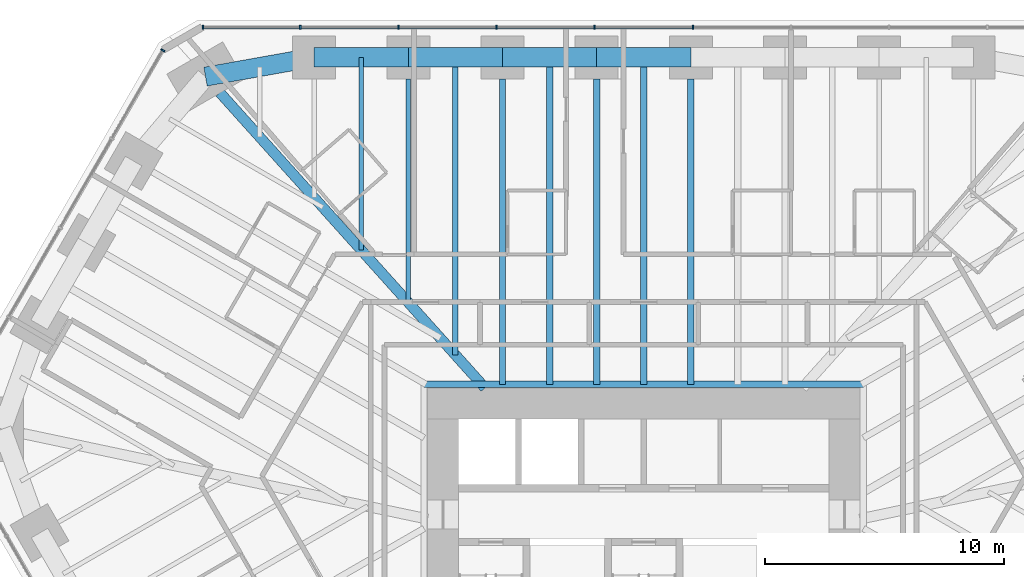
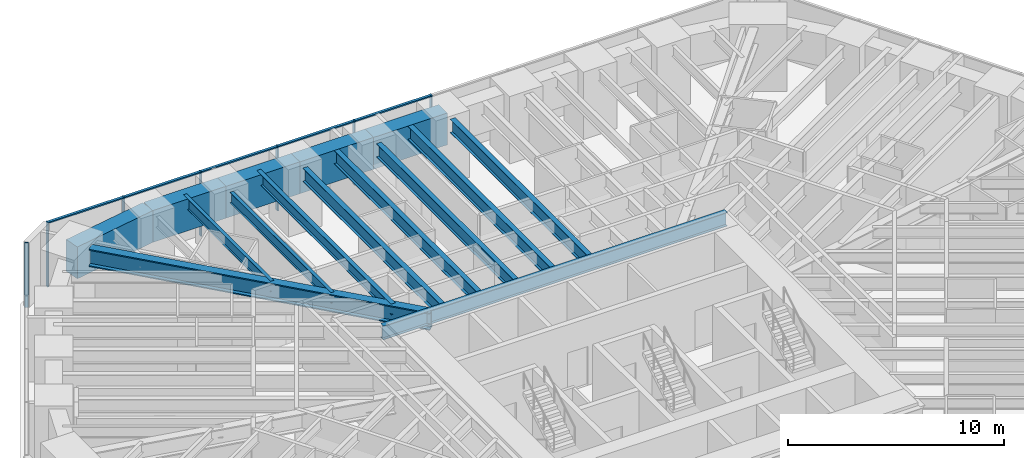
# One storey, part 8 of 17: 15 beams, 12 members, 2 elements without a shape of their own.
"""IFC4 building model written with IfcOpenShell, lengths in metres."""

from ifc_helpers import new_model, si_unit, direction, frame, origin, origin_2d, place, context, subcontext, project, spatial, rectangle, i_section, extrude, material, material_profile, profile_set, type_object, element, aggregate, save


model = new_model("IFC4")

# Units and contexts
model_context = context("Model", 3, precision=1e-05, world=origin(), true_north=direction((0.0, 1.0)))
body_context = subcontext(model_context, "Body", "Model", "MODEL_VIEW")
ifc_project = project(units=[si_unit("LENGTHUNIT", "METRE"), si_unit("AREAUNIT", "SQUARE_METRE"), si_unit("VOLUMEUNIT", "CUBIC_METRE"), si_unit("PLANEANGLEUNIT", "RADIAN"), si_unit("MASSUNIT", "GRAM", prefix="KILO")], contexts=[model_context])

# Site, building, storey
site_placement = place(None, origin())
site = spatial("IfcSite", under=ifc_project, at=site_placement, CompositionType="ELEMENT")
building_placement = place(site_placement, origin())
building = spatial("IfcBuilding", under=site, at=building_placement, Name="Sandreach Pilgrim Tower", CompositionType="ELEMENT")
storey_placement = place(building_placement, frame((0.0, 0.0, 127.199951171875)))
storey = spatial("IfcBuildingStorey", under=building, at=storey_placement, Name="L31", CompositionType="ELEMENT", Elevation=127.199951171875)

# Curtain wall, members
ifc_material_1 = material(Name="Aluminium framed curtain wall", Category="aluminium")
curtain_wall_type = type_object("IfcCurtainWallType", Name="Hotel tower curtain wall", PredefinedType="NOTDEFINED", material=ifc_material_1)
curtain_wall_1_placement = place(storey_placement, origin())
curtain_wall_1 = element("IfcCurtainWall", 1, at=curtain_wall_1_placement, inside=storey, type_object=curtain_wall_type, Name="CW-2 L31 N", PredefinedType="NOTDEFINED")
ifc_material_2 = material(Name="Aluminium extrusion", Category="aluminium")
ifc_material_profile_1 = material_profile(ifc_material_2, rectangle(XDim=0.06494140625, YDim=0.179931640625, at=origin_2d()), Name="CW-2M 65X180")
ifc_profile_set_1 = profile_set([ifc_material_profile_1], Name="Aluminium extrusion")
member_type_1 = type_object("IfcMemberType", Name="CW-2 mullion", PredefinedType="MULLION", material=ifc_profile_set_1)
member_1_placement = place(storey_placement, frame((-18.448974609375, 22.493896484375, 0.0), z_axis=(0.0, 0.0, 1.0), x_axis=(1.0, 0.0, 0.0)))
member_1 = element("IfcMember", 2, at=member_1_placement, type_object=member_type_1, Name="CW-2 mullion 1", PredefinedType="MULLION", context=body_context, shape_type="SweptSolid", body=[
    extrude(rectangle(XDim=0.06494140625, YDim=0.179931640625, at=origin_2d()), origin(), (0.0, 0.0, 1.0), 3.64013671875),
])
member_2_placement = place(storey_placement, frame((-14.37451171875, 22.493896484375, 0.0), z_axis=(0.0, 0.0, 1.0), x_axis=(1.0, 0.0, 0.0)))
member_2 = element("IfcMember", 3, at=member_2_placement, type_object=member_type_1, Name="CW-2 mullion 2", PredefinedType="MULLION", context=body_context, shape_type="SweptSolid", body=[
    extrude(rectangle(XDim=0.06494140625, YDim=0.179931640625, at=origin_2d()), origin(), (0.0, 0.0, 1.0), 3.64013671875),
])
member_3_placement = place(storey_placement, frame((-10.267333984375, 22.493896484375, 0.0), z_axis=(0.0, 0.0, 1.0), x_axis=(1.0, 0.0, 0.0)))
member_3 = element("IfcMember", 4, at=member_3_placement, type_object=member_type_1, Name="CW-2 mullion 3", PredefinedType="MULLION", context=body_context, shape_type="SweptSolid", body=[
    extrude(rectangle(XDim=0.06494140625, YDim=0.179931640625, at=origin_2d()), origin(), (0.0, 0.0, 1.0), 3.64013671875),
])
member_4_placement = place(storey_placement, frame((-6.160400390625, 22.493896484375, 0.0), z_axis=(0.0, 0.0, 1.0), x_axis=(1.0, 0.0, 0.0)))
member_4 = element("IfcMember", 5, at=member_4_placement, type_object=member_type_1, Name="CW-2 mullion 4", PredefinedType="MULLION", context=body_context, shape_type="SweptSolid", body=[
    extrude(rectangle(XDim=0.06494140625, YDim=0.179931640625, at=origin_2d()), origin(), (0.0, 0.0, 1.0), 3.64013671875),
])
member_5_placement = place(storey_placement, frame((-2.053466796875, 22.493896484375, 0.0), z_axis=(0.0, 0.0, 1.0), x_axis=(1.0, 0.0, 0.0)))
member_5 = element("IfcMember", 6, at=member_5_placement, type_object=member_type_1, Name="CW-2 mullion 5", PredefinedType="MULLION", context=body_context, shape_type="SweptSolid", body=[
    extrude(rectangle(XDim=0.06494140625, YDim=0.179931640625, at=origin_2d()), origin(), (0.0, 0.0, 1.0), 3.64013671875),
])
member_6_placement = place(storey_placement, frame((2.053466796875, 22.493896484375, 0.0), z_axis=(0.0, 0.0, 1.0), x_axis=(1.0, 0.0, 0.0)))
member_6 = element("IfcMember", 7, at=member_6_placement, type_object=member_type_1, Name="CW-2 mullion 6", PredefinedType="MULLION", context=body_context, shape_type="SweptSolid", body=[
    extrude(rectangle(XDim=0.06494140625, YDim=0.179931640625, at=origin_2d()), origin(), (0.0, 0.0, 1.0), 3.64013671875),
])

# Curtain wall, member
curtain_wall_2_placement = place(storey_placement, origin())
curtain_wall_2 = element("IfcCurtainWall", 8, at=curtain_wall_2_placement, inside=storey, type_object=curtain_wall_type, Name="CW-2 L31 NW", PredefinedType="NOTDEFINED")
member_7_placement = place(storey_placement, frame((-20.125732421875, 21.525634765625, 0.0), z_axis=(0.0, 0.0, 1.0), x_axis=(0.5, 0.866025403784, 0.0)))
member_7 = element("IfcMember", 9, at=member_7_placement, type_object=member_type_1, Name="CW-2 mullion 5", PredefinedType="MULLION", context=body_context, shape_type="SweptSolid", body=[
    extrude(rectangle(XDim=0.06494140625, YDim=0.179931640625, at=origin_2d()), origin(), (0.0, 0.0, 1.0), 3.64013671875),
])
aggregate(curtain_wall_2, [member_7])

# Member
ifc_material_3 = material(Name="Aluminium extrusion", Category="aluminium")
ifc_material_profile_2 = material_profile(ifc_material_3, rectangle(XDim=0.139892578125, YDim=0.070068359375, at=origin_2d()), Name="CW-2T 140X70")
ifc_profile_set_2 = profile_set([ifc_material_profile_2], Name="Aluminium extrusion")
member_type_2 = type_object("IfcMemberType", Name="CW-2 transom", PredefinedType="USERDEFINED", material=ifc_profile_set_2)
member_8_placement = place(storey_placement, frame((-18.416259765625, 22.493896484375, 3.60498046875), z_axis=(1.0, 0.0, 0.0), x_axis=(0.0, 1.0, 0.0)))
member_8 = element("IfcMember", 10, at=member_8_placement, type_object=member_type_2, Name="CW-2 head transom 1", ObjectType="TRANSOM", PredefinedType="USERDEFINED", context=body_context, shape_type="SweptSolid", body=[
    extrude(rectangle(XDim=0.139892578125, YDim=0.070068359375, at=origin_2d()), origin(), (0.0, 0.0, 1.0), 4.00927734375),
])

member_9_placement = place(storey_placement, frame((-14.341796875, 22.493896484375, 3.60498046875), z_axis=(1.0, 0.0, 0.0), x_axis=(0.0, 1.0, 0.0)))
member_9 = element("IfcMember", 11, at=member_9_placement, type_object=member_type_2, Name="CW-2 head transom 2", ObjectType="TRANSOM", PredefinedType="USERDEFINED", context=body_context, shape_type="SweptSolid", body=[
    extrude(rectangle(XDim=0.139892578125, YDim=0.070068359375, at=origin_2d()), origin(), (0.0, 0.0, 1.0), 4.041748046875),
])

member_10_placement = place(storey_placement, frame((-10.23486328125, 22.493896484375, 3.60498046875), z_axis=(1.0, 0.0, 0.0), x_axis=(0.0, 1.0, 0.0)))
member_10 = element("IfcMember", 12, at=member_10_placement, type_object=member_type_2, Name="CW-2 head transom 3", ObjectType="TRANSOM", PredefinedType="USERDEFINED", context=body_context, shape_type="SweptSolid", body=[
    extrude(rectangle(XDim=0.139892578125, YDim=0.070068359375, at=origin_2d()), origin(), (0.0, 0.0, 1.0), 4.0419921875),
])

member_11_placement = place(storey_placement, frame((-6.1279296875, 22.493896484375, 3.60498046875), z_axis=(1.0, 0.0, 0.0), x_axis=(0.0, 1.0, 0.0)))
member_11 = element("IfcMember", 13, at=member_11_placement, type_object=member_type_2, Name="CW-2 head transom 4", ObjectType="TRANSOM", PredefinedType="USERDEFINED", context=body_context, shape_type="SweptSolid", body=[
    extrude(rectangle(XDim=0.139892578125, YDim=0.070068359375, at=origin_2d()), origin(), (0.0, 0.0, 1.0), 4.0419921875),
])

member_12_placement = place(storey_placement, frame((-2.02099609375, 22.493896484375, 3.60498046875), z_axis=(1.0, 0.0, 0.0), x_axis=(0.0, 1.0, 0.0)))
member_12 = element("IfcMember", 14, at=member_12_placement, type_object=member_type_2, Name="CW-2 head transom 5", ObjectType="TRANSOM", PredefinedType="USERDEFINED", context=body_context, shape_type="SweptSolid", body=[
    extrude(rectangle(XDim=0.139892578125, YDim=0.070068359375, at=origin_2d()), origin(), (0.0, 0.0, 1.0), 4.0419921875),
])

aggregate(curtain_wall_1, [member_1, member_2, member_3, member_4, member_5, member_6, member_8, member_9, member_10, member_11, member_12])

# Beams
ifc_material_4 = material(Name="Steel ASTM A992 Grade 50", Category="steel")
ifc_material_profile_3 = material_profile(ifc_material_4, i_section(OverallWidth=0.2666015625, OverallDepth=0.77978515625, WebThickness=0.0166015625, FlangeThickness=0.030029296875, at=origin_2d()), Name="W30X148")
ifc_profile_set_3 = profile_set([ifc_material_profile_3], Name="Steel ASTM A992 Grade 50")
beam_type_1 = type_object("IfcBeamType", Name="Core edge beam W30X148", PredefinedType="BEAM", material=ifc_profile_set_3)
beam_1_placement = place(storey_placement, frame((-9.193359375, 7.54345703125, 3.250244140625), z_axis=(1.0, 0.0, 0.0), x_axis=(0.0, 1.0, 0.0)))
element("IfcBeam", 15, at=beam_1_placement, inside=storey, type_object=beam_type_1, Name="BM L31 CEN", PredefinedType="BEAM", context=body_context, shape_type="SweptSolid", body=[
    extrude(i_section(OverallWidth=0.2666015625, OverallDepth=0.77978515625, WebThickness=0.0166015625, FlangeThickness=0.030029296875, at=origin_2d()), origin(), (0.0, 0.0, 1.0), 18.38671875),
])
ifc_material_5 = material(Name="Steel ASTM A992 Grade 50", Category="steel")
ifc_material_profile_4 = material_profile(ifc_material_5, i_section(OverallWidth=0.431884765625, OverallDepth=0.988037109375, WebThickness=0.034423828125, FlangeThickness=0.06201171875, at=origin_2d()), Name="W36X441")
ifc_profile_set_4 = profile_set([ifc_material_profile_4], Name="Steel ASTM A992 Grade 50")
beam_type_2 = type_object("IfcBeamType", Name="Corner girder W36X441", PredefinedType="BEAM", material=ifc_profile_set_4)
beam_2_placement = place(storey_placement, frame((-17.738037109375, 19.754150390625, 3.14599609375), z_axis=(0.66811374471, -0.74405915365, 0.0), x_axis=(0.74405915365, 0.66811374471, 0.0)))
element("IfcBeam", 16, at=beam_2_placement, inside=storey, type_object=beam_type_2, Name="BM L31 CG39", PredefinedType="BEAM", context=body_context, shape_type="SweptSolid", body=[
    extrude(i_section(OverallWidth=0.431884765625, OverallDepth=0.988037109375, WebThickness=0.034423828125, FlangeThickness=0.06201171875, at=origin_2d()), origin(), (0.0, 0.0, 1.0), 16.603759765625),
])
ifc_material_6 = material(Name="Steel ASTM A992 Grade 50", Category="steel")
ifc_material_profile_5 = material_profile(ifc_material_6, i_section(OverallWidth=0.1787109375, OverallDepth=0.60205078125, WebThickness=0.010986328125, FlangeThickness=0.014892578125, at=origin_2d()), Name="W24X62")
ifc_profile_set_5 = profile_set([ifc_material_profile_5], Name="Steel ASTM A992 Grade 50")
beam_type_3 = type_object("IfcBeamType", Name="Floor beam W24X62", PredefinedType="BEAM", material=ifc_profile_set_5)
beam_3_placement = place(storey_placement, frame((-9.849853515625, 20.333740234375, 3.339111328125), z_axis=(0.0, -1.0, 0.0), x_axis=(1.0, 0.0, 0.0)))
element("IfcBeam", 17, at=beam_3_placement, inside=storey, type_object=beam_type_3, Name="BM L31 F02", PredefinedType="BEAM", context=body_context, shape_type="SweptSolid", body=[
    extrude(i_section(OverallWidth=0.1787109375, OverallDepth=0.60205078125, WebThickness=0.010986328125, FlangeThickness=0.014892578125, at=origin_2d()), origin(), (0.0, 0.0, 1.0), 9.3642578125),
])
beam_4_placement = place(storey_placement, frame((-11.81982421875, 21.23388671875, 3.339111328125), z_axis=(0.0, -1.0, 0.0), x_axis=(1.0, 0.0, 0.0)))
element("IfcBeam", 18, at=beam_4_placement, inside=storey, type_object=beam_type_3, Name="BM L31 FM01", PredefinedType="BEAM", context=body_context, shape_type="SweptSolid", body=[
    extrude(i_section(OverallWidth=0.1787109375, OverallDepth=0.60205078125, WebThickness=0.010986328125, FlangeThickness=0.014892578125, at=origin_2d()), origin(), (0.0, 0.0, 1.0), 8.070556640625),
])
ifc_material_7 = material(Name="Steel ASTM A992 Grade 50", Category="steel")
ifc_material_profile_6 = material_profile(ifc_material_7, i_section(OverallWidth=0.23046875, OverallDepth=0.6171875, WebThickness=0.01318359375, FlangeThickness=0.022216796875, at=origin_2d()), Name="W24X94")
ifc_profile_set_6 = profile_set([ifc_material_profile_6], Name="Steel ASTM A992 Grade 50")
beam_type_4 = type_object("IfcBeamType", Name="Floor beam W24X94", PredefinedType="BEAM", material=ifc_profile_set_6)
beam_5_placement = place(storey_placement, frame((-7.8798828125, 21.23388671875, 3.33154296875), z_axis=(0.0, -1.0, 0.0), x_axis=(1.0, 0.0, 0.0)))
element("IfcBeam", 19, at=beam_5_placement, inside=storey, type_object=beam_type_4, Name="BM L31 FM02", PredefinedType="BEAM", context=body_context, shape_type="SweptSolid", body=[
    extrude(i_section(OverallWidth=0.23046875, OverallDepth=0.6171875, WebThickness=0.01318359375, FlangeThickness=0.022216796875, at=origin_2d()), origin(), (0.0, 0.0, 1.0), 12.458251953125),
])
ifc_material_8 = material(Name="Steel ASTM A992 Grade 50", Category="steel")
ifc_material_profile_7 = material_profile(ifc_material_8, i_section(OverallWidth=0.2666015625, OverallDepth=0.761962890625, WebThickness=0.014404296875, FlangeThickness=0.021484375, at=origin_2d()), Name="W30X116")
ifc_profile_set_7 = profile_set([ifc_material_profile_7], Name="Steel ASTM A992 Grade 50")
beam_type_5 = type_object("IfcBeamType", Name="Floor beam W30X116", PredefinedType="BEAM", material=ifc_profile_set_7)
for number, where, z_axis, x_axis, name in (
    (20, (-5.909912109375, 20.333740234375, 3.259033203125), (0.0, -1.0, 0.0), (1.0, 0.0, 0.0), "BM L31 F03"),
    (21, (-1.969970703125, 20.333740234375, 3.259033203125), (0.0, -1.0, 0.0), (1.0, 0.0, 0.0), "BM L31 F04"),
    (22, (1.969970703125, 20.333740234375, 3.259033203125), (0.0, -1.0, 0.0), (1.0, 0.0, 0.0), "BM L31 F05"),
):
    element("IfcBeam", number, at=place(storey_placement, frame(where, z_axis=z_axis, x_axis=x_axis)), inside=storey, type_object=beam_type_5, Name=name, PredefinedType="BEAM", context=body_context, shape_type="SweptSolid", body=[
        extrude(i_section(OverallWidth=0.2666015625, OverallDepth=0.761962890625, WebThickness=0.014404296875, FlangeThickness=0.021484375, at=origin_2d()), origin(), (0.0, 0.0, 1.0), 12.790283203125),
    ])
for number, where, z_axis, x_axis, name in (
    (23, (-3.93994140625, 21.23388671875, 3.259033203125), (0.0, -1.0, 0.0), (1.0, 0.0, 0.0), "BM L31 FM03"),
    (24, (0.0, 21.23388671875, 3.259033203125), (0.0, -1.0, 0.0), (1.0, 0.0, 0.0), "BM L31 FM04"),
):
    element("IfcBeam", number, at=place(storey_placement, frame(where, z_axis=z_axis, x_axis=x_axis)), inside=storey, type_object=beam_type_5, Name=name, PredefinedType="BEAM", context=body_context, shape_type="SweptSolid", body=[
        extrude(i_section(OverallWidth=0.2666015625, OverallDepth=0.761962890625, WebThickness=0.014404296875, FlangeThickness=0.021484375, at=origin_2d()), origin(), (0.0, 0.0, 1.0), 13.6904296875),
    ])
ifc_material_9 = material(Name="Concrete 10000 psi", Category="concrete")
ifc_material_profile_8 = material_profile(ifc_material_9, rectangle(XDim=0.800048828125, YDim=1.800048828125, at=origin_2d()), Name="RC800X1800")
ifc_profile_set_8 = profile_set([ifc_material_profile_8], Name="Concrete 10000 psi")
beam_type_6 = type_object("IfcBeamType", Name="Spandrel beam RC800X1800", PredefinedType="SPANDREL", material=ifc_profile_set_8)
for number, where, z_axis, x_axis, name in (
    (25, (-13.789794921875, 21.23388671875, 2.739990234375), (1.0, 0.0, 0.0), (0.0, 1.0, 0.0), "BM L31 SP01"),
    (26, (-9.849853515625, 21.23388671875, 2.739990234375), (1.0, 0.0, 0.0), (0.0, 1.0, 0.0), "BM L31 SP02"),
    (27, (-5.909912109375, 21.23388671875, 2.739990234375), (1.0, 0.0, 0.0), (0.0, 1.0, 0.0), "BM L31 SP03"),
    (28, (-1.969970703125, 21.23388671875, 2.739990234375), (1.0, 0.0, 0.0), (0.0, 1.0, 0.0), "BM L31 SP04"),
):
    element("IfcBeam", number, at=place(storey_placement, frame(where, z_axis=z_axis, x_axis=x_axis)), inside=storey, type_object=beam_type_6, Name=name, PredefinedType="SPANDREL", context=body_context, shape_type="SweptSolid", body=[
        extrude(rectangle(XDim=0.800048828125, YDim=1.800048828125, at=origin_2d()), origin(), (0.0, 0.0, 1.0), 3.93994140625),
    ])
beam_6_placement = place(storey_placement, frame((-18.33935546875, 20.423828125, 2.739990234375), z_axis=(0.984515938739, 0.175295083699, 0.0), x_axis=(-0.175295083699, 0.984515938739, 0.0)))
element("IfcBeam", 29, at=beam_6_placement, inside=storey, type_object=beam_type_6, Name="BM L31 SP39", PredefinedType="SPANDREL", context=body_context, shape_type="SweptSolid", body=[
    extrude(rectangle(XDim=0.800048828125, YDim=1.800048828125, at=origin_2d()), origin(), (0.0, 0.0, 1.0), 4.62109375),
])

save(model, "model.ifc")
